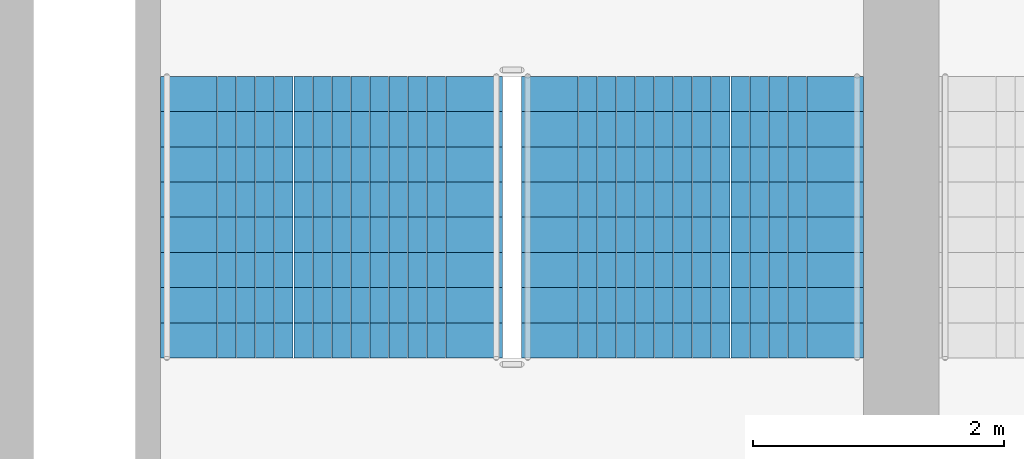
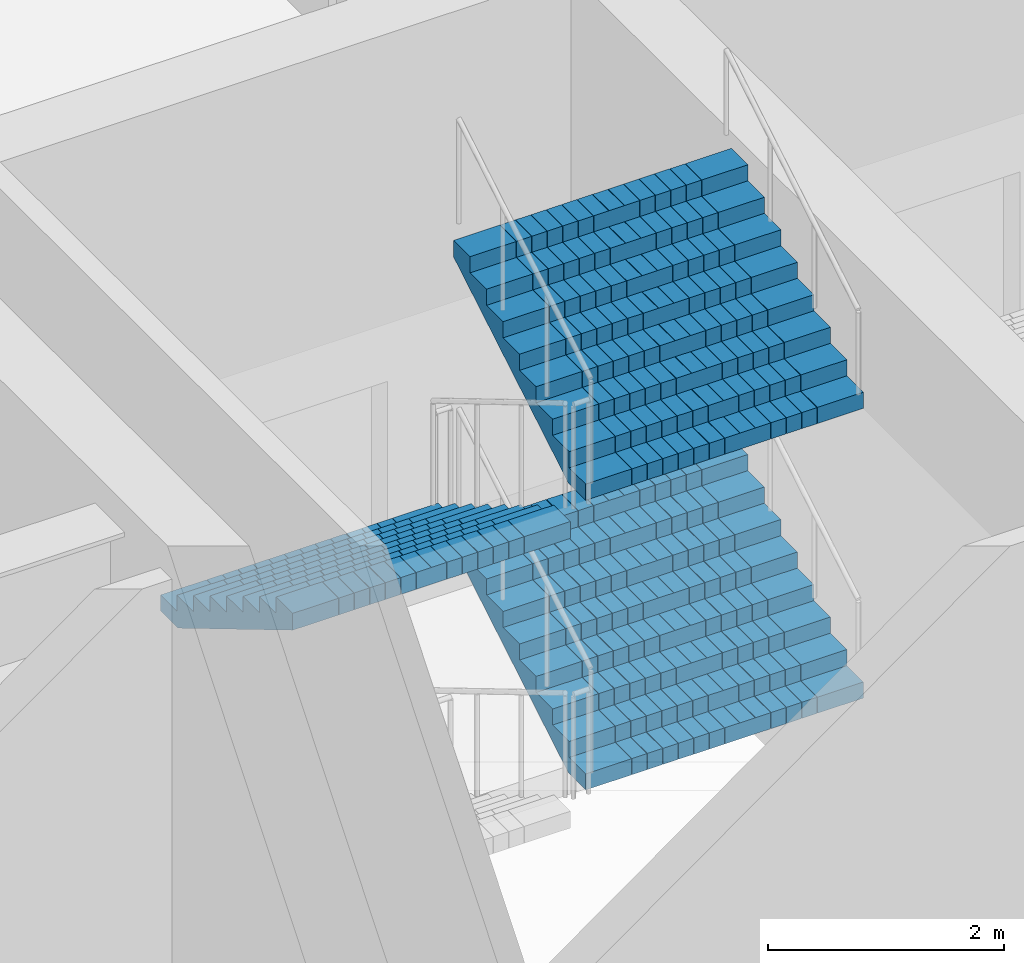
# One storey, part 26 of 43: 3 stair flights, 1 element without a shape of its own.
"""IFC4 building model written with IfcOpenShell, lengths in metres."""

from ifc_helpers import new_model, si_unit, direction, frame, origin, place, context, subcontext, project, spatial, polyline, outline, extrude, material, type_object, element, aggregate, save


model = new_model("IFC4")

# Units and contexts
model_context = context("Model", 3, precision=1e-05, world=origin(), true_north=direction((0.0, 1.0)))
body_context = subcontext(model_context, "Body", "Model", "MODEL_VIEW")
ifc_project = project(units=[si_unit("LENGTHUNIT", "METRE"), si_unit("AREAUNIT", "SQUARE_METRE"), si_unit("VOLUMEUNIT", "CUBIC_METRE"), si_unit("PLANEANGLEUNIT", "RADIAN"), si_unit("MASSUNIT", "GRAM", prefix="KILO")], contexts=[model_context])

# Site, building, storey
site_placement = place(None, origin())
site = spatial("IfcSite", under=ifc_project, at=site_placement, CompositionType="ELEMENT")
building_placement = place(site_placement, origin())
building = spatial("IfcBuilding", under=site, at=building_placement, Name="Corbelhall Arena Tower", CompositionType="ELEMENT")
storey_placement = place(building_placement, frame((0.0, 0.0, 25.0)))
storey = spatial("IfcBuildingStorey", under=building, at=storey_placement, Name="L03", CompositionType="ELEMENT", Elevation=25.0)

# Stair, stair flights
ifc_material = material(Name="Reinforced concrete C40/50", Category="concrete")
stair_type = type_object("IfcStairType", Name="AR-EXIT-STAIR", PredefinedType="HALF_TURN_STAIR", material=ifc_material)
stair_placement = place(storey_placement, origin())
stair = element("IfcStair", 1, at=stair_placement, inside=storey, type_object=stair_type, Name="L03 exit stair AS5", PredefinedType="HALF_TURN_STAIR")
stair_flight_type = type_object("IfcStairFlightType", Name="AR-EXIT-FLIGHT", PredefinedType="STRAIGHT", material=ifc_material)
stair_flight_1_placement = place(storey_placement, frame((38.840087890625, -29.56005859375, 1.5), z_axis=(0.0, 0.0, 1.0), x_axis=(0.0, 1.0, 0.0)))
stair_flight_1 = element("IfcStairFlight", 2, at=stair_flight_1_placement, type_object=stair_flight_type, Name="AS5 flight 2", NumberOfRisers=9, NumberOfTreads=8, PredefinedType="STRAIGHT", RiserHeight=0.166666667, TreadLength=0.28, context=body_context, shape_type="SweptSolid", body=[
    extrude(outline(polyline([(0.0, 0.0), (0.0, 0.166748046875), (0.280029296875, 0.166748046875), (0.280029296875, 0.333251953125), (0.56005859375, 0.333251953125), (0.56005859375, 0.5), (0.840087890625, 0.5), (0.840087890625, 0.666748046875), (1.1201171875, 0.666748046875), (1.1201171875, 0.833251953125), (1.39990234375, 0.833251953125), (1.39990234375, 1.0), (1.679931640625, 1.0), (1.679931640625, 1.166748046875), (1.9599609375, 1.166748046875), (1.9599609375, 1.333251953125), (2.239990234375, 1.333251953125), (2.239990234375, 1.5), (2.239990234375, 1.158935546875), (0.29296875, 0.0), (0.0, 0.0)])), frame((0.0, 1.35986328125, 0.0), z_axis=(0.0, -1.0, 0.0), x_axis=(1.0, 0.0, 0.0)), (0.0, 0.0, 1.0), 0.449951171875),
    extrude(outline(polyline([(0.0, 0.0), (0.0, 0.166748046875), (0.280029296875, 0.166748046875), (0.280029296875, 0.333251953125), (0.56005859375, 0.333251953125), (0.56005859375, 0.5), (0.840087890625, 0.5), (0.840087890625, 0.666748046875), (1.1201171875, 0.666748046875), (1.1201171875, 0.833251953125), (1.39990234375, 0.833251953125), (1.39990234375, 1.0), (1.679931640625, 1.0), (1.679931640625, 1.166748046875), (1.9599609375, 1.166748046875), (1.9599609375, 1.333251953125), (2.239990234375, 1.333251953125), (2.239990234375, 1.5), (2.239990234375, 1.158935546875), (0.29296875, 0.0), (0.0, 0.0)])), frame((0.0, 0.906005859375, 0.0), z_axis=(0.0, -1.0, 0.0), x_axis=(1.0, 0.0, 0.0)), (0.0, 0.0, 1.0), 0.147216796875),
    extrude(outline(polyline([(0.0, 0.0), (0.0, 0.166748046875), (0.280029296875, 0.166748046875), (0.280029296875, 0.333251953125), (0.56005859375, 0.333251953125), (0.56005859375, 0.5), (0.840087890625, 0.5), (0.840087890625, 0.666748046875), (1.1201171875, 0.666748046875), (1.1201171875, 0.833251953125), (1.39990234375, 0.833251953125), (1.39990234375, 1.0), (1.679931640625, 1.0), (1.679931640625, 1.166748046875), (1.9599609375, 1.166748046875), (1.9599609375, 1.333251953125), (2.239990234375, 1.333251953125), (2.239990234375, 1.5), (2.239990234375, 1.158935546875), (0.29296875, 0.0), (0.0, 0.0)])), frame((0.0, 0.754638671875, 0.0), z_axis=(0.0, -1.0, 0.0), x_axis=(1.0, 0.0, 0.0)), (0.0, 0.0, 1.0), 0.147216796875),
    extrude(outline(polyline([(0.0, 0.0), (0.0, 0.166748046875), (0.280029296875, 0.166748046875), (0.280029296875, 0.333251953125), (0.56005859375, 0.333251953125), (0.56005859375, 0.5), (0.840087890625, 0.5), (0.840087890625, 0.666748046875), (1.1201171875, 0.666748046875), (1.1201171875, 0.833251953125), (1.39990234375, 0.833251953125), (1.39990234375, 1.0), (1.679931640625, 1.0), (1.679931640625, 1.166748046875), (1.9599609375, 1.166748046875), (1.9599609375, 1.333251953125), (2.239990234375, 1.333251953125), (2.239990234375, 1.5), (2.239990234375, 1.158935546875), (0.29296875, 0.0), (0.0, 0.0)])), frame((0.0, 0.603271484375, 0.0), z_axis=(0.0, -1.0, 0.0), x_axis=(1.0, 0.0, 0.0)), (0.0, 0.0, 1.0), 0.147216796875),
    extrude(outline(polyline([(0.0, 0.0), (0.0, 0.166748046875), (0.280029296875, 0.166748046875), (0.280029296875, 0.333251953125), (0.56005859375, 0.333251953125), (0.56005859375, 0.5), (0.840087890625, 0.5), (0.840087890625, 0.666748046875), (1.1201171875, 0.666748046875), (1.1201171875, 0.833251953125), (1.39990234375, 0.833251953125), (1.39990234375, 1.0), (1.679931640625, 1.0), (1.679931640625, 1.166748046875), (1.9599609375, 1.166748046875), (1.9599609375, 1.333251953125), (2.239990234375, 1.333251953125), (2.239990234375, 1.5), (2.239990234375, 1.158935546875), (0.29296875, 0.0), (0.0, 0.0)])), frame((0.0, 0.451904296875, 0.0), z_axis=(0.0, -1.0, 0.0), x_axis=(1.0, 0.0, 0.0)), (0.0, 0.0, 1.0), 0.147216796875),
    extrude(outline(polyline([(0.0, 0.0), (0.0, 0.166748046875), (0.280029296875, 0.166748046875), (0.280029296875, 0.333251953125), (0.56005859375, 0.333251953125), (0.56005859375, 0.5), (0.840087890625, 0.5), (0.840087890625, 0.666748046875), (1.1201171875, 0.666748046875), (1.1201171875, 0.833251953125), (1.39990234375, 0.833251953125), (1.39990234375, 1.0), (1.679931640625, 1.0), (1.679931640625, 1.166748046875), (1.9599609375, 1.166748046875), (1.9599609375, 1.333251953125), (2.239990234375, 1.333251953125), (2.239990234375, 1.5), (2.239990234375, 1.158935546875), (0.29296875, 0.0), (0.0, 0.0)])), frame((0.0, 0.30078125, 0.0), z_axis=(0.0, -1.0, 0.0), x_axis=(1.0, 0.0, 0.0)), (0.0, 0.0, 1.0), 0.147216796875),
    extrude(outline(polyline([(0.0, 0.0), (0.0, 0.166748046875), (0.280029296875, 0.166748046875), (0.280029296875, 0.333251953125), (0.56005859375, 0.333251953125), (0.56005859375, 0.5), (0.840087890625, 0.5), (0.840087890625, 0.666748046875), (1.1201171875, 0.666748046875), (1.1201171875, 0.833251953125), (1.39990234375, 0.833251953125), (1.39990234375, 1.0), (1.679931640625, 1.0), (1.679931640625, 1.166748046875), (1.9599609375, 1.166748046875), (1.9599609375, 1.333251953125), (2.239990234375, 1.333251953125), (2.239990234375, 1.5), (2.239990234375, 1.158935546875), (0.29296875, 0.0), (0.0, 0.0)])), frame((0.0, 0.1494140625, 0.0), z_axis=(0.0, -1.0, 0.0), x_axis=(1.0, 0.0, 0.0)), (0.0, 0.0, 1.0), 0.147216796875),
    extrude(outline(polyline([(0.0, 0.0), (0.0, 0.166748046875), (0.280029296875, 0.166748046875), (0.280029296875, 0.333251953125), (0.56005859375, 0.333251953125), (0.56005859375, 0.5), (0.840087890625, 0.5), (0.840087890625, 0.666748046875), (1.1201171875, 0.666748046875), (1.1201171875, 0.833251953125), (1.39990234375, 0.833251953125), (1.39990234375, 1.0), (1.679931640625, 1.0), (1.679931640625, 1.166748046875), (1.9599609375, 1.166748046875), (1.9599609375, 1.333251953125), (2.239990234375, 1.333251953125), (2.239990234375, 1.5), (2.239990234375, 1.158935546875), (0.29296875, 0.0), (0.0, 0.0)])), frame((0.0, -0.001953125, 0.0), z_axis=(0.0, -1.0, 0.0), x_axis=(1.0, 0.0, 0.0)), (0.0, 0.0, 1.0), 0.147216796875),
    extrude(outline(polyline([(0.0, 0.0), (0.0, 0.166748046875), (0.280029296875, 0.166748046875), (0.280029296875, 0.333251953125), (0.56005859375, 0.333251953125), (0.56005859375, 0.5), (0.840087890625, 0.5), (0.840087890625, 0.666748046875), (1.1201171875, 0.666748046875), (1.1201171875, 0.833251953125), (1.39990234375, 0.833251953125), (1.39990234375, 1.0), (1.679931640625, 1.0), (1.679931640625, 1.166748046875), (1.9599609375, 1.166748046875), (1.9599609375, 1.333251953125), (2.239990234375, 1.333251953125), (2.239990234375, 1.5), (2.239990234375, 1.158935546875), (0.29296875, 0.0), (0.0, 0.0)])), frame((0.0, -0.1533203125, 0.0), z_axis=(0.0, -1.0, 0.0), x_axis=(1.0, 0.0, 0.0)), (0.0, 0.0, 1.0), 0.147216796875),
    extrude(outline(polyline([(0.0, 0.0), (0.0, 0.166748046875), (0.280029296875, 0.166748046875), (0.280029296875, 0.333251953125), (0.56005859375, 0.333251953125), (0.56005859375, 0.5), (0.840087890625, 0.5), (0.840087890625, 0.666748046875), (1.1201171875, 0.666748046875), (1.1201171875, 0.833251953125), (1.39990234375, 0.833251953125), (1.39990234375, 1.0), (1.679931640625, 1.0), (1.679931640625, 1.166748046875), (1.9599609375, 1.166748046875), (1.9599609375, 1.333251953125), (2.239990234375, 1.333251953125), (2.239990234375, 1.5), (2.239990234375, 1.158935546875), (0.29296875, 0.0), (0.0, 0.0)])), frame((0.0, -0.3046875, 0.0), z_axis=(0.0, -1.0, 0.0), x_axis=(1.0, 0.0, 0.0)), (0.0, 0.0, 1.0), 0.147216796875),
    extrude(outline(polyline([(0.0, 0.0), (0.0, 0.166748046875), (0.280029296875, 0.166748046875), (0.280029296875, 0.333251953125), (0.56005859375, 0.333251953125), (0.56005859375, 0.5), (0.840087890625, 0.5), (0.840087890625, 0.666748046875), (1.1201171875, 0.666748046875), (1.1201171875, 0.833251953125), (1.39990234375, 0.833251953125), (1.39990234375, 1.0), (1.679931640625, 1.0), (1.679931640625, 1.166748046875), (1.9599609375, 1.166748046875), (1.9599609375, 1.333251953125), (2.239990234375, 1.333251953125), (2.239990234375, 1.5), (2.239990234375, 1.158935546875), (0.29296875, 0.0), (0.0, 0.0)])), frame((0.0, -0.4560546875, 0.0), z_axis=(0.0, -1.0, 0.0), x_axis=(1.0, 0.0, 0.0)), (0.0, 0.0, 1.0), 0.147216796875),
    extrude(outline(polyline([(0.0, 0.0), (0.0, 0.166748046875), (0.280029296875, 0.166748046875), (0.280029296875, 0.333251953125), (0.56005859375, 0.333251953125), (0.56005859375, 0.5), (0.840087890625, 0.5), (0.840087890625, 0.666748046875), (1.1201171875, 0.666748046875), (1.1201171875, 0.833251953125), (1.39990234375, 0.833251953125), (1.39990234375, 1.0), (1.679931640625, 1.0), (1.679931640625, 1.166748046875), (1.9599609375, 1.166748046875), (1.9599609375, 1.333251953125), (2.239990234375, 1.333251953125), (2.239990234375, 1.5), (2.239990234375, 1.158935546875), (0.29296875, 0.0), (0.0, 0.0)])), frame((0.0, -0.607421875, 0.0), z_axis=(0.0, -1.0, 0.0), x_axis=(1.0, 0.0, 0.0)), (0.0, 0.0, 1.0), 0.147216796875),
    extrude(outline(polyline([(0.0, 0.0), (0.0, 0.166748046875), (0.280029296875, 0.166748046875), (0.280029296875, 0.333251953125), (0.56005859375, 0.333251953125), (0.56005859375, 0.5), (0.840087890625, 0.5), (0.840087890625, 0.666748046875), (1.1201171875, 0.666748046875), (1.1201171875, 0.833251953125), (1.39990234375, 0.833251953125), (1.39990234375, 1.0), (1.679931640625, 1.0), (1.679931640625, 1.166748046875), (1.9599609375, 1.166748046875), (1.9599609375, 1.333251953125), (2.239990234375, 1.333251953125), (2.239990234375, 1.5), (2.239990234375, 1.158935546875), (0.29296875, 0.0), (0.0, 0.0)])), frame((0.0, -0.758544921875, 0.0), z_axis=(0.0, -1.0, 0.0), x_axis=(1.0, 0.0, 0.0)), (0.0, 0.0, 1.0), 0.147216796875),
    extrude(outline(polyline([(0.0, 0.0), (0.0, 0.166748046875), (0.280029296875, 0.166748046875), (0.280029296875, 0.333251953125), (0.56005859375, 0.333251953125), (0.56005859375, 0.5), (0.840087890625, 0.5), (0.840087890625, 0.666748046875), (1.1201171875, 0.666748046875), (1.1201171875, 0.833251953125), (1.39990234375, 0.833251953125), (1.39990234375, 1.0), (1.679931640625, 1.0), (1.679931640625, 1.166748046875), (1.9599609375, 1.166748046875), (1.9599609375, 1.333251953125), (2.239990234375, 1.333251953125), (2.239990234375, 1.5), (2.239990234375, 1.158935546875), (0.29296875, 0.0), (0.0, 0.0)])), frame((0.0, -0.909912109375, 0.0), z_axis=(0.0, -1.0, 0.0), x_axis=(1.0, 0.0, 0.0)), (0.0, 0.0, 1.0), 0.449951171875),
])
stair_flight_2_placement = place(storey_placement, frame((35.969970703125, -27.320068359375, 3.0), z_axis=(0.0, 0.0, 1.0), x_axis=(0.0, -1.0, 0.0)))
stair_flight_2 = element("IfcStairFlight", 3, at=stair_flight_2_placement, type_object=stair_flight_type, Name="AS5 flight 3", NumberOfRisers=9, NumberOfTreads=8, PredefinedType="STRAIGHT", RiserHeight=0.166666667, TreadLength=0.28, context=body_context, shape_type="SweptSolid", body=[
    extrude(outline(polyline([(0.0, 0.0), (0.0, 0.166748046875), (0.280029296875, 0.166748046875), (0.280029296875, 0.333251953125), (0.56005859375, 0.333251953125), (0.56005859375, 0.5), (0.840087890625, 0.5), (0.840087890625, 0.666748046875), (1.1201171875, 0.666748046875), (1.1201171875, 0.833251953125), (1.39990234375, 0.833251953125), (1.39990234375, 1.0), (1.679931640625, 1.0), (1.679931640625, 1.166748046875), (1.9599609375, 1.166748046875), (1.9599609375, 1.333251953125), (2.239990234375, 1.333251953125), (2.239990234375, 1.5), (2.239990234375, 1.158935546875), (0.29296875, 0.0), (0.0, 0.0)])), frame((0.0, 1.35986328125, 0.0), z_axis=(0.0, -1.0, 0.0), x_axis=(1.0, 0.0, 0.0)), (0.0, 0.0, 1.0), 0.449951171875),
    extrude(outline(polyline([(0.0, 0.0), (0.0, 0.166748046875), (0.280029296875, 0.166748046875), (0.280029296875, 0.333251953125), (0.56005859375, 0.333251953125), (0.56005859375, 0.5), (0.840087890625, 0.5), (0.840087890625, 0.666748046875), (1.1201171875, 0.666748046875), (1.1201171875, 0.833251953125), (1.39990234375, 0.833251953125), (1.39990234375, 1.0), (1.679931640625, 1.0), (1.679931640625, 1.166748046875), (1.9599609375, 1.166748046875), (1.9599609375, 1.333251953125), (2.239990234375, 1.333251953125), (2.239990234375, 1.5), (2.239990234375, 1.158935546875), (0.29296875, 0.0), (0.0, 0.0)])), frame((0.0, 0.906005859375, 0.0), z_axis=(0.0, -1.0, 0.0), x_axis=(1.0, 0.0, 0.0)), (0.0, 0.0, 1.0), 0.147216796875),
    extrude(outline(polyline([(0.0, 0.0), (0.0, 0.166748046875), (0.280029296875, 0.166748046875), (0.280029296875, 0.333251953125), (0.56005859375, 0.333251953125), (0.56005859375, 0.5), (0.840087890625, 0.5), (0.840087890625, 0.666748046875), (1.1201171875, 0.666748046875), (1.1201171875, 0.833251953125), (1.39990234375, 0.833251953125), (1.39990234375, 1.0), (1.679931640625, 1.0), (1.679931640625, 1.166748046875), (1.9599609375, 1.166748046875), (1.9599609375, 1.333251953125), (2.239990234375, 1.333251953125), (2.239990234375, 1.5), (2.239990234375, 1.158935546875), (0.29296875, 0.0), (0.0, 0.0)])), frame((0.0, 0.754638671875, 0.0), z_axis=(0.0, -1.0, 0.0), x_axis=(1.0, 0.0, 0.0)), (0.0, 0.0, 1.0), 0.147216796875),
    extrude(outline(polyline([(0.0, 0.0), (0.0, 0.166748046875), (0.280029296875, 0.166748046875), (0.280029296875, 0.333251953125), (0.56005859375, 0.333251953125), (0.56005859375, 0.5), (0.840087890625, 0.5), (0.840087890625, 0.666748046875), (1.1201171875, 0.666748046875), (1.1201171875, 0.833251953125), (1.39990234375, 0.833251953125), (1.39990234375, 1.0), (1.679931640625, 1.0), (1.679931640625, 1.166748046875), (1.9599609375, 1.166748046875), (1.9599609375, 1.333251953125), (2.239990234375, 1.333251953125), (2.239990234375, 1.5), (2.239990234375, 1.158935546875), (0.29296875, 0.0), (0.0, 0.0)])), frame((0.0, 0.603271484375, 0.0), z_axis=(0.0, -1.0, 0.0), x_axis=(1.0, 0.0, 0.0)), (0.0, 0.0, 1.0), 0.147216796875),
    extrude(outline(polyline([(0.0, 0.0), (0.0, 0.166748046875), (0.280029296875, 0.166748046875), (0.280029296875, 0.333251953125), (0.56005859375, 0.333251953125), (0.56005859375, 0.5), (0.840087890625, 0.5), (0.840087890625, 0.666748046875), (1.1201171875, 0.666748046875), (1.1201171875, 0.833251953125), (1.39990234375, 0.833251953125), (1.39990234375, 1.0), (1.679931640625, 1.0), (1.679931640625, 1.166748046875), (1.9599609375, 1.166748046875), (1.9599609375, 1.333251953125), (2.239990234375, 1.333251953125), (2.239990234375, 1.5), (2.239990234375, 1.158935546875), (0.29296875, 0.0), (0.0, 0.0)])), frame((0.0, 0.451904296875, 0.0), z_axis=(0.0, -1.0, 0.0), x_axis=(1.0, 0.0, 0.0)), (0.0, 0.0, 1.0), 0.147216796875),
    extrude(outline(polyline([(0.0, 0.0), (0.0, 0.166748046875), (0.280029296875, 0.166748046875), (0.280029296875, 0.333251953125), (0.56005859375, 0.333251953125), (0.56005859375, 0.5), (0.840087890625, 0.5), (0.840087890625, 0.666748046875), (1.1201171875, 0.666748046875), (1.1201171875, 0.833251953125), (1.39990234375, 0.833251953125), (1.39990234375, 1.0), (1.679931640625, 1.0), (1.679931640625, 1.166748046875), (1.9599609375, 1.166748046875), (1.9599609375, 1.333251953125), (2.239990234375, 1.333251953125), (2.239990234375, 1.5), (2.239990234375, 1.158935546875), (0.29296875, 0.0), (0.0, 0.0)])), frame((0.0, 0.30078125, 0.0), z_axis=(0.0, -1.0, 0.0), x_axis=(1.0, 0.0, 0.0)), (0.0, 0.0, 1.0), 0.147216796875),
    extrude(outline(polyline([(0.0, 0.0), (0.0, 0.166748046875), (0.280029296875, 0.166748046875), (0.280029296875, 0.333251953125), (0.56005859375, 0.333251953125), (0.56005859375, 0.5), (0.840087890625, 0.5), (0.840087890625, 0.666748046875), (1.1201171875, 0.666748046875), (1.1201171875, 0.833251953125), (1.39990234375, 0.833251953125), (1.39990234375, 1.0), (1.679931640625, 1.0), (1.679931640625, 1.166748046875), (1.9599609375, 1.166748046875), (1.9599609375, 1.333251953125), (2.239990234375, 1.333251953125), (2.239990234375, 1.5), (2.239990234375, 1.158935546875), (0.29296875, 0.0), (0.0, 0.0)])), frame((0.0, 0.1494140625, 0.0), z_axis=(0.0, -1.0, 0.0), x_axis=(1.0, 0.0, 0.0)), (0.0, 0.0, 1.0), 0.147216796875),
    extrude(outline(polyline([(0.0, 0.0), (0.0, 0.166748046875), (0.280029296875, 0.166748046875), (0.280029296875, 0.333251953125), (0.56005859375, 0.333251953125), (0.56005859375, 0.5), (0.840087890625, 0.5), (0.840087890625, 0.666748046875), (1.1201171875, 0.666748046875), (1.1201171875, 0.833251953125), (1.39990234375, 0.833251953125), (1.39990234375, 1.0), (1.679931640625, 1.0), (1.679931640625, 1.166748046875), (1.9599609375, 1.166748046875), (1.9599609375, 1.333251953125), (2.239990234375, 1.333251953125), (2.239990234375, 1.5), (2.239990234375, 1.158935546875), (0.29296875, 0.0), (0.0, 0.0)])), frame((0.0, -0.001953125, 0.0), z_axis=(0.0, -1.0, 0.0), x_axis=(1.0, 0.0, 0.0)), (0.0, 0.0, 1.0), 0.147216796875),
    extrude(outline(polyline([(0.0, 0.0), (0.0, 0.166748046875), (0.280029296875, 0.166748046875), (0.280029296875, 0.333251953125), (0.56005859375, 0.333251953125), (0.56005859375, 0.5), (0.840087890625, 0.5), (0.840087890625, 0.666748046875), (1.1201171875, 0.666748046875), (1.1201171875, 0.833251953125), (1.39990234375, 0.833251953125), (1.39990234375, 1.0), (1.679931640625, 1.0), (1.679931640625, 1.166748046875), (1.9599609375, 1.166748046875), (1.9599609375, 1.333251953125), (2.239990234375, 1.333251953125), (2.239990234375, 1.5), (2.239990234375, 1.158935546875), (0.29296875, 0.0), (0.0, 0.0)])), frame((0.0, -0.1533203125, 0.0), z_axis=(0.0, -1.0, 0.0), x_axis=(1.0, 0.0, 0.0)), (0.0, 0.0, 1.0), 0.147216796875),
    extrude(outline(polyline([(0.0, 0.0), (0.0, 0.166748046875), (0.280029296875, 0.166748046875), (0.280029296875, 0.333251953125), (0.56005859375, 0.333251953125), (0.56005859375, 0.5), (0.840087890625, 0.5), (0.840087890625, 0.666748046875), (1.1201171875, 0.666748046875), (1.1201171875, 0.833251953125), (1.39990234375, 0.833251953125), (1.39990234375, 1.0), (1.679931640625, 1.0), (1.679931640625, 1.166748046875), (1.9599609375, 1.166748046875), (1.9599609375, 1.333251953125), (2.239990234375, 1.333251953125), (2.239990234375, 1.5), (2.239990234375, 1.158935546875), (0.29296875, 0.0), (0.0, 0.0)])), frame((0.0, -0.3046875, 0.0), z_axis=(0.0, -1.0, 0.0), x_axis=(1.0, 0.0, 0.0)), (0.0, 0.0, 1.0), 0.147216796875),
    extrude(outline(polyline([(0.0, 0.0), (0.0, 0.166748046875), (0.280029296875, 0.166748046875), (0.280029296875, 0.333251953125), (0.56005859375, 0.333251953125), (0.56005859375, 0.5), (0.840087890625, 0.5), (0.840087890625, 0.666748046875), (1.1201171875, 0.666748046875), (1.1201171875, 0.833251953125), (1.39990234375, 0.833251953125), (1.39990234375, 1.0), (1.679931640625, 1.0), (1.679931640625, 1.166748046875), (1.9599609375, 1.166748046875), (1.9599609375, 1.333251953125), (2.239990234375, 1.333251953125), (2.239990234375, 1.5), (2.239990234375, 1.158935546875), (0.29296875, 0.0), (0.0, 0.0)])), frame((0.0, -0.4560546875, 0.0), z_axis=(0.0, -1.0, 0.0), x_axis=(1.0, 0.0, 0.0)), (0.0, 0.0, 1.0), 0.147216796875),
    extrude(outline(polyline([(0.0, 0.0), (0.0, 0.166748046875), (0.280029296875, 0.166748046875), (0.280029296875, 0.333251953125), (0.56005859375, 0.333251953125), (0.56005859375, 0.5), (0.840087890625, 0.5), (0.840087890625, 0.666748046875), (1.1201171875, 0.666748046875), (1.1201171875, 0.833251953125), (1.39990234375, 0.833251953125), (1.39990234375, 1.0), (1.679931640625, 1.0), (1.679931640625, 1.166748046875), (1.9599609375, 1.166748046875), (1.9599609375, 1.333251953125), (2.239990234375, 1.333251953125), (2.239990234375, 1.5), (2.239990234375, 1.158935546875), (0.29296875, 0.0), (0.0, 0.0)])), frame((0.0, -0.607421875, 0.0), z_axis=(0.0, -1.0, 0.0), x_axis=(1.0, 0.0, 0.0)), (0.0, 0.0, 1.0), 0.147216796875),
    extrude(outline(polyline([(0.0, 0.0), (0.0, 0.166748046875), (0.280029296875, 0.166748046875), (0.280029296875, 0.333251953125), (0.56005859375, 0.333251953125), (0.56005859375, 0.5), (0.840087890625, 0.5), (0.840087890625, 0.666748046875), (1.1201171875, 0.666748046875), (1.1201171875, 0.833251953125), (1.39990234375, 0.833251953125), (1.39990234375, 1.0), (1.679931640625, 1.0), (1.679931640625, 1.166748046875), (1.9599609375, 1.166748046875), (1.9599609375, 1.333251953125), (2.239990234375, 1.333251953125), (2.239990234375, 1.5), (2.239990234375, 1.158935546875), (0.29296875, 0.0), (0.0, 0.0)])), frame((0.0, -0.758544921875, 0.0), z_axis=(0.0, -1.0, 0.0), x_axis=(1.0, 0.0, 0.0)), (0.0, 0.0, 1.0), 0.147216796875),
    extrude(outline(polyline([(0.0, 0.0), (0.0, 0.166748046875), (0.280029296875, 0.166748046875), (0.280029296875, 0.333251953125), (0.56005859375, 0.333251953125), (0.56005859375, 0.5), (0.840087890625, 0.5), (0.840087890625, 0.666748046875), (1.1201171875, 0.666748046875), (1.1201171875, 0.833251953125), (1.39990234375, 0.833251953125), (1.39990234375, 1.0), (1.679931640625, 1.0), (1.679931640625, 1.166748046875), (1.9599609375, 1.166748046875), (1.9599609375, 1.333251953125), (2.239990234375, 1.333251953125), (2.239990234375, 1.5), (2.239990234375, 1.158935546875), (0.29296875, 0.0), (0.0, 0.0)])), frame((0.0, -0.909912109375, 0.0), z_axis=(0.0, -1.0, 0.0), x_axis=(1.0, 0.0, 0.0)), (0.0, 0.0, 1.0), 0.449951171875),
])
stair_flight_3_placement = place(storey_placement, frame((38.840087890625, -29.56005859375, 4.5), z_axis=(0.0, 0.0, 1.0), x_axis=(0.0, 1.0, 0.0)))
stair_flight_3 = element("IfcStairFlight", 4, at=stair_flight_3_placement, type_object=stair_flight_type, Name="AS5 flight 4", NumberOfRisers=9, NumberOfTreads=8, PredefinedType="STRAIGHT", RiserHeight=0.166666667, TreadLength=0.28, context=body_context, shape_type="SweptSolid", body=[
    extrude(outline(polyline([(0.0, 0.0), (0.0, 0.166748046875), (0.280029296875, 0.166748046875), (0.280029296875, 0.333251953125), (0.56005859375, 0.333251953125), (0.56005859375, 0.5), (0.840087890625, 0.5), (0.840087890625, 0.666748046875), (1.1201171875, 0.666748046875), (1.1201171875, 0.833251953125), (1.39990234375, 0.833251953125), (1.39990234375, 1.0), (1.679931640625, 1.0), (1.679931640625, 1.166748046875), (1.9599609375, 1.166748046875), (1.9599609375, 1.333251953125), (2.239990234375, 1.333251953125), (2.239990234375, 1.5), (2.239990234375, 1.158935546875), (0.29296875, 0.0), (0.0, 0.0)])), frame((0.0, 1.35986328125, 0.0), z_axis=(0.0, -1.0, 0.0), x_axis=(1.0, 0.0, 0.0)), (0.0, 0.0, 1.0), 0.449951171875),
    extrude(outline(polyline([(0.0, 0.0), (0.0, 0.166748046875), (0.280029296875, 0.166748046875), (0.280029296875, 0.333251953125), (0.56005859375, 0.333251953125), (0.56005859375, 0.5), (0.840087890625, 0.5), (0.840087890625, 0.666748046875), (1.1201171875, 0.666748046875), (1.1201171875, 0.833251953125), (1.39990234375, 0.833251953125), (1.39990234375, 1.0), (1.679931640625, 1.0), (1.679931640625, 1.166748046875), (1.9599609375, 1.166748046875), (1.9599609375, 1.333251953125), (2.239990234375, 1.333251953125), (2.239990234375, 1.5), (2.239990234375, 1.158935546875), (0.29296875, 0.0), (0.0, 0.0)])), frame((0.0, 0.906005859375, 0.0), z_axis=(0.0, -1.0, 0.0), x_axis=(1.0, 0.0, 0.0)), (0.0, 0.0, 1.0), 0.147216796875),
    extrude(outline(polyline([(0.0, 0.0), (0.0, 0.166748046875), (0.280029296875, 0.166748046875), (0.280029296875, 0.333251953125), (0.56005859375, 0.333251953125), (0.56005859375, 0.5), (0.840087890625, 0.5), (0.840087890625, 0.666748046875), (1.1201171875, 0.666748046875), (1.1201171875, 0.833251953125), (1.39990234375, 0.833251953125), (1.39990234375, 1.0), (1.679931640625, 1.0), (1.679931640625, 1.166748046875), (1.9599609375, 1.166748046875), (1.9599609375, 1.333251953125), (2.239990234375, 1.333251953125), (2.239990234375, 1.5), (2.239990234375, 1.158935546875), (0.29296875, 0.0), (0.0, 0.0)])), frame((0.0, 0.754638671875, 0.0), z_axis=(0.0, -1.0, 0.0), x_axis=(1.0, 0.0, 0.0)), (0.0, 0.0, 1.0), 0.147216796875),
    extrude(outline(polyline([(0.0, 0.0), (0.0, 0.166748046875), (0.280029296875, 0.166748046875), (0.280029296875, 0.333251953125), (0.56005859375, 0.333251953125), (0.56005859375, 0.5), (0.840087890625, 0.5), (0.840087890625, 0.666748046875), (1.1201171875, 0.666748046875), (1.1201171875, 0.833251953125), (1.39990234375, 0.833251953125), (1.39990234375, 1.0), (1.679931640625, 1.0), (1.679931640625, 1.166748046875), (1.9599609375, 1.166748046875), (1.9599609375, 1.333251953125), (2.239990234375, 1.333251953125), (2.239990234375, 1.5), (2.239990234375, 1.158935546875), (0.29296875, 0.0), (0.0, 0.0)])), frame((0.0, 0.603271484375, 0.0), z_axis=(0.0, -1.0, 0.0), x_axis=(1.0, 0.0, 0.0)), (0.0, 0.0, 1.0), 0.147216796875),
    extrude(outline(polyline([(0.0, 0.0), (0.0, 0.166748046875), (0.280029296875, 0.166748046875), (0.280029296875, 0.333251953125), (0.56005859375, 0.333251953125), (0.56005859375, 0.5), (0.840087890625, 0.5), (0.840087890625, 0.666748046875), (1.1201171875, 0.666748046875), (1.1201171875, 0.833251953125), (1.39990234375, 0.833251953125), (1.39990234375, 1.0), (1.679931640625, 1.0), (1.679931640625, 1.166748046875), (1.9599609375, 1.166748046875), (1.9599609375, 1.333251953125), (2.239990234375, 1.333251953125), (2.239990234375, 1.5), (2.239990234375, 1.158935546875), (0.29296875, 0.0), (0.0, 0.0)])), frame((0.0, 0.451904296875, 0.0), z_axis=(0.0, -1.0, 0.0), x_axis=(1.0, 0.0, 0.0)), (0.0, 0.0, 1.0), 0.147216796875),
    extrude(outline(polyline([(0.0, 0.0), (0.0, 0.166748046875), (0.280029296875, 0.166748046875), (0.280029296875, 0.333251953125), (0.56005859375, 0.333251953125), (0.56005859375, 0.5), (0.840087890625, 0.5), (0.840087890625, 0.666748046875), (1.1201171875, 0.666748046875), (1.1201171875, 0.833251953125), (1.39990234375, 0.833251953125), (1.39990234375, 1.0), (1.679931640625, 1.0), (1.679931640625, 1.166748046875), (1.9599609375, 1.166748046875), (1.9599609375, 1.333251953125), (2.239990234375, 1.333251953125), (2.239990234375, 1.5), (2.239990234375, 1.158935546875), (0.29296875, 0.0), (0.0, 0.0)])), frame((0.0, 0.30078125, 0.0), z_axis=(0.0, -1.0, 0.0), x_axis=(1.0, 0.0, 0.0)), (0.0, 0.0, 1.0), 0.147216796875),
    extrude(outline(polyline([(0.0, 0.0), (0.0, 0.166748046875), (0.280029296875, 0.166748046875), (0.280029296875, 0.333251953125), (0.56005859375, 0.333251953125), (0.56005859375, 0.5), (0.840087890625, 0.5), (0.840087890625, 0.666748046875), (1.1201171875, 0.666748046875), (1.1201171875, 0.833251953125), (1.39990234375, 0.833251953125), (1.39990234375, 1.0), (1.679931640625, 1.0), (1.679931640625, 1.166748046875), (1.9599609375, 1.166748046875), (1.9599609375, 1.333251953125), (2.239990234375, 1.333251953125), (2.239990234375, 1.5), (2.239990234375, 1.158935546875), (0.29296875, 0.0), (0.0, 0.0)])), frame((0.0, 0.1494140625, 0.0), z_axis=(0.0, -1.0, 0.0), x_axis=(1.0, 0.0, 0.0)), (0.0, 0.0, 1.0), 0.147216796875),
    extrude(outline(polyline([(0.0, 0.0), (0.0, 0.166748046875), (0.280029296875, 0.166748046875), (0.280029296875, 0.333251953125), (0.56005859375, 0.333251953125), (0.56005859375, 0.5), (0.840087890625, 0.5), (0.840087890625, 0.666748046875), (1.1201171875, 0.666748046875), (1.1201171875, 0.833251953125), (1.39990234375, 0.833251953125), (1.39990234375, 1.0), (1.679931640625, 1.0), (1.679931640625, 1.166748046875), (1.9599609375, 1.166748046875), (1.9599609375, 1.333251953125), (2.239990234375, 1.333251953125), (2.239990234375, 1.5), (2.239990234375, 1.158935546875), (0.29296875, 0.0), (0.0, 0.0)])), frame((0.0, -0.001953125, 0.0), z_axis=(0.0, -1.0, 0.0), x_axis=(1.0, 0.0, 0.0)), (0.0, 0.0, 1.0), 0.147216796875),
    extrude(outline(polyline([(0.0, 0.0), (0.0, 0.166748046875), (0.280029296875, 0.166748046875), (0.280029296875, 0.333251953125), (0.56005859375, 0.333251953125), (0.56005859375, 0.5), (0.840087890625, 0.5), (0.840087890625, 0.666748046875), (1.1201171875, 0.666748046875), (1.1201171875, 0.833251953125), (1.39990234375, 0.833251953125), (1.39990234375, 1.0), (1.679931640625, 1.0), (1.679931640625, 1.166748046875), (1.9599609375, 1.166748046875), (1.9599609375, 1.333251953125), (2.239990234375, 1.333251953125), (2.239990234375, 1.5), (2.239990234375, 1.158935546875), (0.29296875, 0.0), (0.0, 0.0)])), frame((0.0, -0.1533203125, 0.0), z_axis=(0.0, -1.0, 0.0), x_axis=(1.0, 0.0, 0.0)), (0.0, 0.0, 1.0), 0.147216796875),
    extrude(outline(polyline([(0.0, 0.0), (0.0, 0.166748046875), (0.280029296875, 0.166748046875), (0.280029296875, 0.333251953125), (0.56005859375, 0.333251953125), (0.56005859375, 0.5), (0.840087890625, 0.5), (0.840087890625, 0.666748046875), (1.1201171875, 0.666748046875), (1.1201171875, 0.833251953125), (1.39990234375, 0.833251953125), (1.39990234375, 1.0), (1.679931640625, 1.0), (1.679931640625, 1.166748046875), (1.9599609375, 1.166748046875), (1.9599609375, 1.333251953125), (2.239990234375, 1.333251953125), (2.239990234375, 1.5), (2.239990234375, 1.158935546875), (0.29296875, 0.0), (0.0, 0.0)])), frame((0.0, -0.3046875, 0.0), z_axis=(0.0, -1.0, 0.0), x_axis=(1.0, 0.0, 0.0)), (0.0, 0.0, 1.0), 0.147216796875),
    extrude(outline(polyline([(0.0, 0.0), (0.0, 0.166748046875), (0.280029296875, 0.166748046875), (0.280029296875, 0.333251953125), (0.56005859375, 0.333251953125), (0.56005859375, 0.5), (0.840087890625, 0.5), (0.840087890625, 0.666748046875), (1.1201171875, 0.666748046875), (1.1201171875, 0.833251953125), (1.39990234375, 0.833251953125), (1.39990234375, 1.0), (1.679931640625, 1.0), (1.679931640625, 1.166748046875), (1.9599609375, 1.166748046875), (1.9599609375, 1.333251953125), (2.239990234375, 1.333251953125), (2.239990234375, 1.5), (2.239990234375, 1.158935546875), (0.29296875, 0.0), (0.0, 0.0)])), frame((0.0, -0.4560546875, 0.0), z_axis=(0.0, -1.0, 0.0), x_axis=(1.0, 0.0, 0.0)), (0.0, 0.0, 1.0), 0.147216796875),
    extrude(outline(polyline([(0.0, 0.0), (0.0, 0.166748046875), (0.280029296875, 0.166748046875), (0.280029296875, 0.333251953125), (0.56005859375, 0.333251953125), (0.56005859375, 0.5), (0.840087890625, 0.5), (0.840087890625, 0.666748046875), (1.1201171875, 0.666748046875), (1.1201171875, 0.833251953125), (1.39990234375, 0.833251953125), (1.39990234375, 1.0), (1.679931640625, 1.0), (1.679931640625, 1.166748046875), (1.9599609375, 1.166748046875), (1.9599609375, 1.333251953125), (2.239990234375, 1.333251953125), (2.239990234375, 1.5), (2.239990234375, 1.158935546875), (0.29296875, 0.0), (0.0, 0.0)])), frame((0.0, -0.607421875, 0.0), z_axis=(0.0, -1.0, 0.0), x_axis=(1.0, 0.0, 0.0)), (0.0, 0.0, 1.0), 0.147216796875),
    extrude(outline(polyline([(0.0, 0.0), (0.0, 0.166748046875), (0.280029296875, 0.166748046875), (0.280029296875, 0.333251953125), (0.56005859375, 0.333251953125), (0.56005859375, 0.5), (0.840087890625, 0.5), (0.840087890625, 0.666748046875), (1.1201171875, 0.666748046875), (1.1201171875, 0.833251953125), (1.39990234375, 0.833251953125), (1.39990234375, 1.0), (1.679931640625, 1.0), (1.679931640625, 1.166748046875), (1.9599609375, 1.166748046875), (1.9599609375, 1.333251953125), (2.239990234375, 1.333251953125), (2.239990234375, 1.5), (2.239990234375, 1.158935546875), (0.29296875, 0.0), (0.0, 0.0)])), frame((0.0, -0.758544921875, 0.0), z_axis=(0.0, -1.0, 0.0), x_axis=(1.0, 0.0, 0.0)), (0.0, 0.0, 1.0), 0.147216796875),
    extrude(outline(polyline([(0.0, 0.0), (0.0, 0.166748046875), (0.280029296875, 0.166748046875), (0.280029296875, 0.333251953125), (0.56005859375, 0.333251953125), (0.56005859375, 0.5), (0.840087890625, 0.5), (0.840087890625, 0.666748046875), (1.1201171875, 0.666748046875), (1.1201171875, 0.833251953125), (1.39990234375, 0.833251953125), (1.39990234375, 1.0), (1.679931640625, 1.0), (1.679931640625, 1.166748046875), (1.9599609375, 1.166748046875), (1.9599609375, 1.333251953125), (2.239990234375, 1.333251953125), (2.239990234375, 1.5), (2.239990234375, 1.158935546875), (0.29296875, 0.0), (0.0, 0.0)])), frame((0.0, -0.909912109375, 0.0), z_axis=(0.0, -1.0, 0.0), x_axis=(1.0, 0.0, 0.0)), (0.0, 0.0, 1.0), 0.449951171875),
])
aggregate(stair, [stair_flight_1, stair_flight_2, stair_flight_3])

save(model, "model.ifc")
